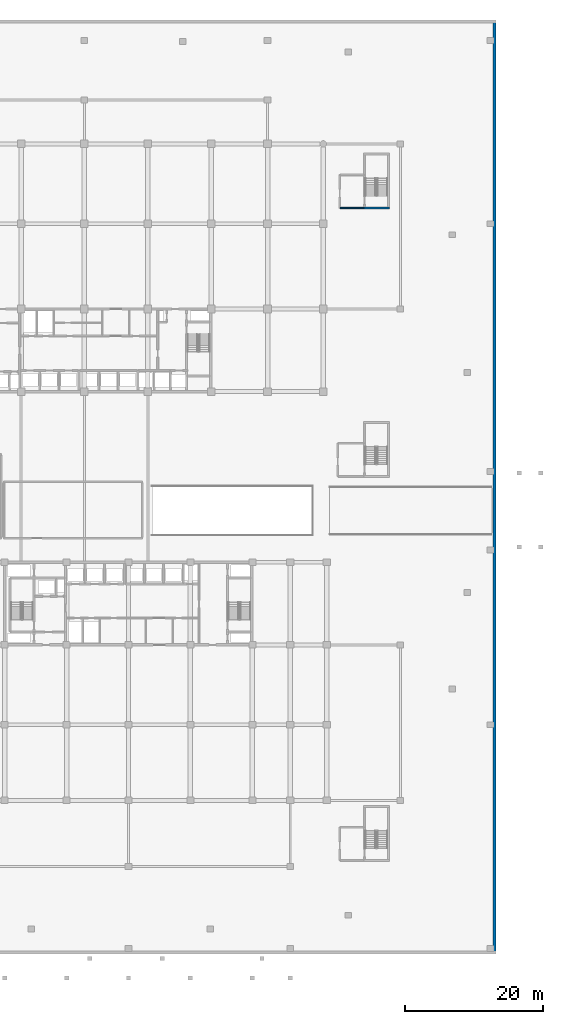
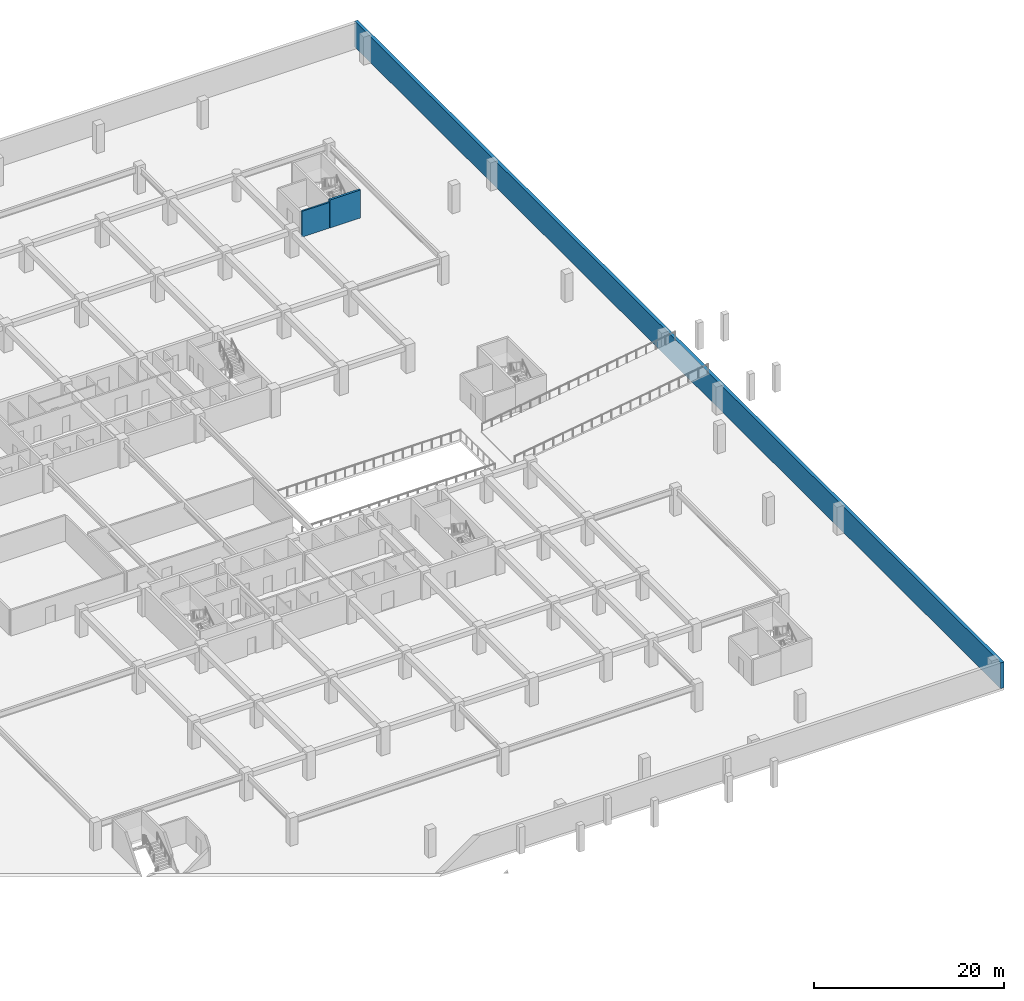
# One storey, part 12 of 23: 3 walls.
"""IFC4 building model written with IfcOpenShell, lengths in metres."""

from ifc_helpers import new_model, si_unit, direction, frame, frame_2d, origin, place, context, subcontext, project, spatial, rectangle, extrude, material, layer, layer_set, type_object, element, save


model = new_model("IFC4")

# Units and contexts
model_context = context("Model", 3, precision=1e-05, world=origin(), true_north=direction((0.0, 1.0)))
body_context = subcontext(model_context, "Body", "Model", "MODEL_VIEW")
ifc_project = project(units=[si_unit("LENGTHUNIT", "METRE"), si_unit("AREAUNIT", "SQUARE_METRE"), si_unit("VOLUMEUNIT", "CUBIC_METRE"), si_unit("PLANEANGLEUNIT", "RADIAN"), si_unit("MASSUNIT", "GRAM", prefix="KILO")], contexts=[model_context])

# Site, building, storey
site_placement = place(None, origin())
site = spatial("IfcSite", under=ifc_project, at=site_placement, CompositionType="ELEMENT")
building_placement = place(site_placement, origin())
building = spatial("IfcBuilding", under=site, at=building_placement, Name="Korimba Cascade Residences", CompositionType="ELEMENT")
storey_placement = place(building_placement, frame((0.0, 0.0, -3.60009765625)))
storey = spatial("IfcBuildingStorey", under=building, at=storey_placement, Name="B01", CompositionType="ELEMENT", Elevation=-3.60009765625)

# Walls
ifc_material_1 = material(Name="Concrete C50/60", Category="concrete")
ifc_layer_1 = layer(ifc_material_1, 0.39990234375)
ifc_layer_set_1 = layer_set([ifc_layer_1], Name="Concrete C50/60")
wall_type_1 = type_object("IfcWallType", Name="EW-RET-400", PredefinedType="USERDEFINED", material=ifc_layer_set_1)
wall_1_placement = place(storey_placement, frame((153.300048828125, -26.5, 0.0), z_axis=(0.0, 0.0, 1.0), x_axis=(0.0, 1.0, 0.0)))
element("IfcWall", 1, at=wall_1_placement, inside=storey, type_object=wall_type_1, Name="B01 Basement Retaining Wall E", ObjectType="RETAININGWALL", PredefinedType="USERDEFINED", context=body_context, shape_type="SweptSolid", body=[
    extrude(rectangle(XDim=135.699951171875, YDim=0.39990234375, at=frame_2d((67.85009765625, 0.0))), origin(), (0.0, 0.0, 1.0), 3.300048828125),
])
ifc_material_2 = material(Name="Concrete C40/50", Category="concrete")
ifc_layer_2 = layer(ifc_material_2, 0.199951171875)
ifc_layer_set_2 = layer_set([ifc_layer_2], Name="Concrete C40/50")
wall_type_2 = type_object("IfcWallType", Name="WAL-PART-200", PredefinedType="PARTITIONING", material=ifc_layer_set_2)
wall_2_placement = place(storey_placement, frame((130.89990234375, 81.875, 0.0), z_axis=(0.0, 0.0, 1.0), x_axis=(1.0, 0.0, 0.0)))
element("IfcWall", 2, at=wall_2_placement, inside=storey, type_object=wall_type_2, Name="B01 Partition Wall CW-B01-PL4S", PredefinedType="PARTITIONING", context=body_context, shape_type="SweptSolid", body=[
    extrude(rectangle(XDim=3.35009765625, YDim=0.199951171875, at=frame_2d((1.675048828125, 0.0))), origin(), (0.0, 0.0, 1.0), 3.300048828125),
])
ifc_layer_3 = layer(ifc_material_1, 0.25)
ifc_layer_set_3 = layer_set([ifc_layer_3], Name="Concrete C50/60")
wall_type_3 = type_object("IfcWallType", Name="WAL-SHAFT-250", PredefinedType="SHEAR", material=ifc_layer_set_3)
wall_3_placement = place(storey_placement, frame((134.25, 81.875, 0.0), z_axis=(0.0, 0.0, 1.0), x_axis=(1.0, 0.0, 0.0)))
element("IfcWall", 3, at=wall_3_placement, inside=storey, type_object=wall_type_3, Name="B01 Core Shear Wall CW-B01-STP4S", PredefinedType="SHEAR", context=body_context, shape_type="SweptSolid", body=[
    extrude(rectangle(XDim=3.739990234375, YDim=0.25, at=frame_2d((1.8701171875, 0.0))), origin(), (0.0, 0.0, 1.0), 3.60009765625),
])

save(model, "model.ifc")
